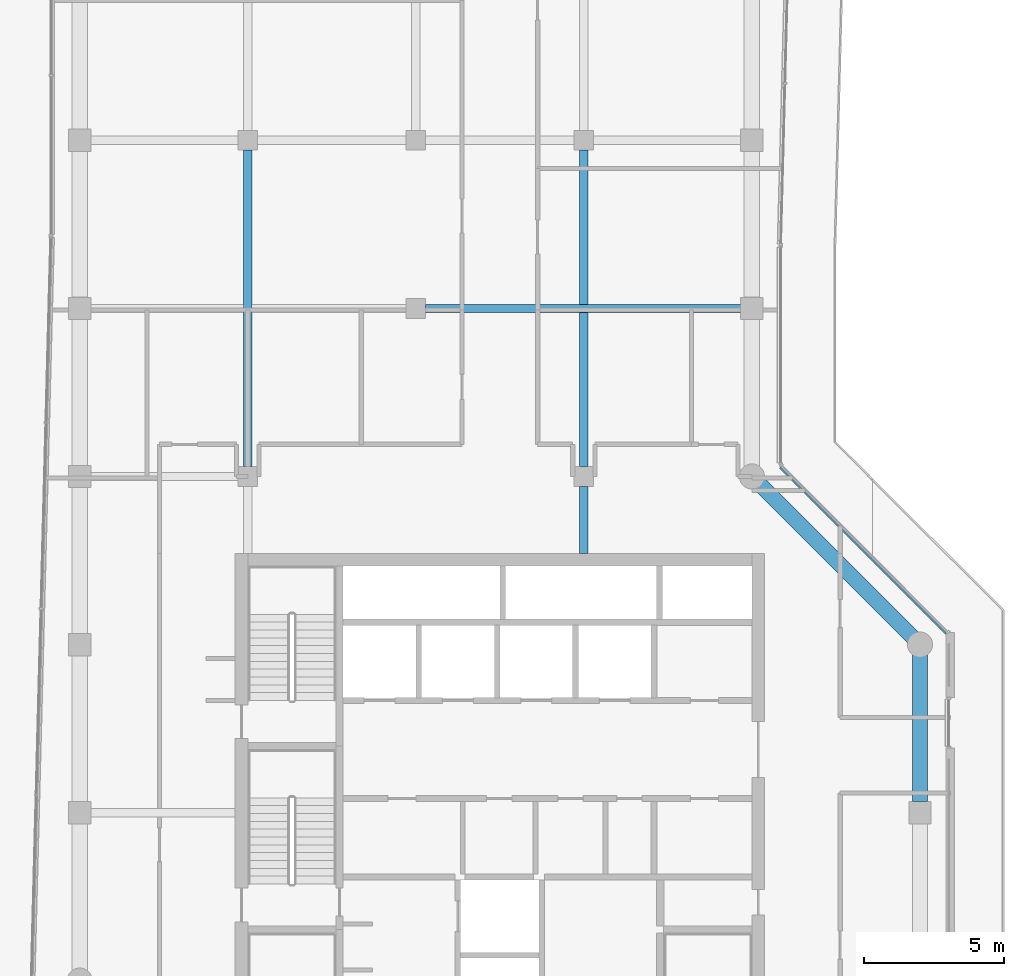
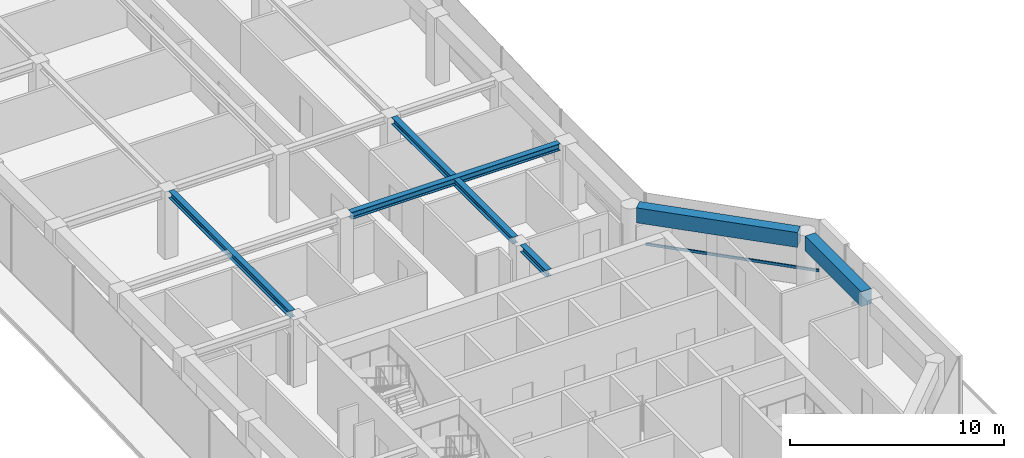
# One storey, part 5 of 19: 6 beams, 1 member, 1 element without a shape of its own.
"""IFC4 building model written with IfcOpenShell, lengths in metres."""

from ifc_helpers import new_model, si_unit, direction, frame, origin, origin_2d, place, context, subcontext, project, spatial, rectangle, i_section, extrude, material, layer, layer_set, material_profile, profile_set, type_object, element, aggregate, save


model = new_model("IFC4")

# Units and contexts
model_context = context("Model", 3, precision=1e-05, world=origin(), true_north=direction((0.0, 1.0)))
body_context = subcontext(model_context, "Body", "Model", "MODEL_VIEW")
ifc_project = project(units=[si_unit("LENGTHUNIT", "METRE"), si_unit("AREAUNIT", "SQUARE_METRE"), si_unit("VOLUMEUNIT", "CUBIC_METRE"), si_unit("PLANEANGLEUNIT", "RADIAN"), si_unit("MASSUNIT", "GRAM", prefix="KILO")], contexts=[model_context])

# Site, building, storey
site_placement = place(None, origin())
site = spatial("IfcSite", under=ifc_project, at=site_placement, CompositionType="ELEMENT")
building_placement = place(site_placement, origin())
building = spatial("IfcBuilding", under=site, at=building_placement, Name="Welwitschia Terrace Campus", CompositionType="ELEMENT")
storey_placement = place(building_placement, frame((0.0, 0.0, 234.800048828125)))
storey = spatial("IfcBuildingStorey", under=building, at=storey_placement, Name="L52", CompositionType="ELEMENT", Elevation=234.800048828125)

# Beams
ifc_material_1 = material(Name="Steel S355", Category="steel")
ifc_material_profile_1 = material_profile(ifc_material_1, i_section(OverallWidth=0.300048828125, OverallDepth=0.389892578125, WebThickness=0.010986328125, FlangeThickness=0.01904296875, FilletRadius=0.027099609375, at=origin_2d()))
ifc_profile_set_1 = profile_set([ifc_material_profile_1], Name="Steel S355")
beam_type_1 = type_object("IfcBeamType", Name="Interior girder HE 400 A", PredefinedType="BEAM", material=ifc_profile_set_1)
beam_1_placement = place(storey_placement, frame((12.3505859375, 34.0, 3.655029296875), z_axis=(1.0, 0.0, 0.0), x_axis=(0.0, 1.0, 0.0)))
element("IfcBeam", 1, at=beam_1_placement, inside=storey, type_object=beam_type_1, Name="Girder GB5", PredefinedType="BEAM", context=body_context, shape_type="SweptSolid", body=[
    extrude(i_section(OverallWidth=0.300048828125, OverallDepth=0.389892578125, WebThickness=0.010986328125, FlangeThickness=0.01904296875, FilletRadius=0.027099609375, at=origin_2d()), origin(), (0.0, 0.0, 1.0), 11.259033203125),
])
beam_2_placement = place(storey_placement, frame((6.0, 28.3505859375, 3.655029296875), z_axis=(0.0, 1.0, 0.0), x_axis=(-1.0, 0.0, 0.0)))
element("IfcBeam", 2, at=beam_2_placement, inside=storey, type_object=beam_type_1, Name="Girder GB5", PredefinedType="BEAM", context=body_context, shape_type="SweptSolid", body=[
    extrude(i_section(OverallWidth=0.300048828125, OverallDepth=0.389892578125, WebThickness=0.010986328125, FlangeThickness=0.01904296875, FilletRadius=0.027099609375, at=origin_2d()), origin(), (0.0, 0.0, 1.0), 11.298828125),
])
beam_3_placement = place(storey_placement, frame((18.0, 25.2509765625, 3.655029296875), z_axis=(0.0, 1.0, 0.0), x_axis=(-1.0, 0.0, 0.0)))
element("IfcBeam", 3, at=beam_3_placement, inside=storey, type_object=beam_type_1, Name="Girder GB5", PredefinedType="BEAM", context=body_context, shape_type="SweptSolid", body=[
    extrude(i_section(OverallWidth=0.300048828125, OverallDepth=0.389892578125, WebThickness=0.010986328125, FlangeThickness=0.01904296875, FilletRadius=0.027099609375, at=origin_2d()), origin(), (0.0, 0.0, 1.0), 2.3984375),
])
beam_4_placement = place(storey_placement, frame((18.0, 28.3505859375, 3.655029296875), z_axis=(0.0, 1.0, 0.0), x_axis=(-1.0, 0.0, 0.0)))
element("IfcBeam", 4, at=beam_4_placement, inside=storey, type_object=beam_type_1, Name="Girder GB5", PredefinedType="BEAM", context=body_context, shape_type="SweptSolid", body=[
    extrude(i_section(OverallWidth=0.300048828125, OverallDepth=0.389892578125, WebThickness=0.010986328125, FlangeThickness=0.01904296875, FilletRadius=0.027099609375, at=origin_2d()), origin(), (0.0, 0.0, 1.0), 11.298828125),
])
ifc_material_2 = material(Name="Concrete C50/60", Category="concrete")
ifc_material_profile_2 = material_profile(ifc_material_2, rectangle(XDim=0.550048828125, YDim=0.85009765625, at=origin_2d()))
ifc_profile_set_2 = profile_set([ifc_material_profile_2], Name="Concrete C50/60")
beam_type_2 = type_object("IfcBeamType", Name="Ring spandrel 550x850", PredefinedType="SPANDREL", material=ifc_profile_set_2)
beam_5_placement = place(storey_placement, frame((30.0, 16.400390625, 3.425048828125), z_axis=(0.0, 1.0, 0.0), x_axis=(-1.0, 0.0, 0.0)))
element("IfcBeam", 5, at=beam_5_placement, inside=storey, type_object=beam_type_2, Name="Spandrel SP3", PredefinedType="SPANDREL", context=body_context, shape_type="SweptSolid", body=[
    extrude(rectangle(XDim=0.550048828125, YDim=0.85009765625, at=origin_2d()), origin(), (0.0, 0.0, 1.0), 5.24267578125),
])
beam_6_placement = place(storey_placement, frame((29.74755859375, 22.25244140625, 3.425048828125), z_axis=(-0.707106781187, 0.707106781187, 0.0), x_axis=(-0.707106781187, -0.707106781187, 0.0)))
element("IfcBeam", 6, at=beam_6_placement, inside=storey, type_object=beam_type_2, Name="Spandrel SP3", PredefinedType="SPANDREL", context=body_context, shape_type="SweptSolid", body=[
    extrude(rectangle(XDim=0.550048828125, YDim=0.85009765625, at=origin_2d()), origin(), (0.0, 0.0, 1.0), 7.771240234375),
])

# Curtain wall, member
ifc_material_3 = material(Name="Bronze anodised aluminium", Category="aluminium")
ifc_layer = layer(ifc_material_3, 0.1201171875)
ifc_layer_set = layer_set([ifc_layer], Name="Bronze anodised aluminium")
curtain_wall_type = type_object("IfcCurtainWallType", Name="Curtain wall CW2 tower 6000", PredefinedType="NOTDEFINED", material=ifc_layer_set)
curtain_wall_placement = place(storey_placement, origin())
curtain_wall = element("IfcCurtainWall", 7, at=curtain_wall_placement, inside=storey, type_object=curtain_wall_type, Name="CW L52.7.0", PredefinedType="NOTDEFINED")
ifc_material_4 = material(Name="Bronze anodised aluminium", Category="aluminium")
ifc_material_profile_3 = material_profile(ifc_material_4, rectangle(XDim=0.06005859375, YDim=0.14990234375, at=origin_2d()))
ifc_profile_set_3 = profile_set([ifc_material_profile_3], Name="Bronze anodised aluminium")
member_type = type_object("IfcMemberType", Name="Transom 60x150", PredefinedType="USERDEFINED", material=ifc_profile_set_3)
member_placement = place(storey_placement, frame((30.923828125, 22.405517578125, 1.0), z_axis=(-0.707106781187, 0.707106781187, 0.0), x_axis=(-0.707106781187, -0.707106781187, 0.0)))
member = element("IfcMember", 8, at=member_placement, type_object=member_type, Name="Transom L52.7.0", ObjectType="TRANSOM", PredefinedType="USERDEFINED", context=body_context, shape_type="SweptSolid", body=[
    extrude(rectangle(XDim=0.06005859375, YDim=0.14990234375, at=origin_2d()), origin(), (0.0, 0.0, 1.0), 8.365234375),
])
aggregate(curtain_wall, [member])

save(model, "model.ifc")
